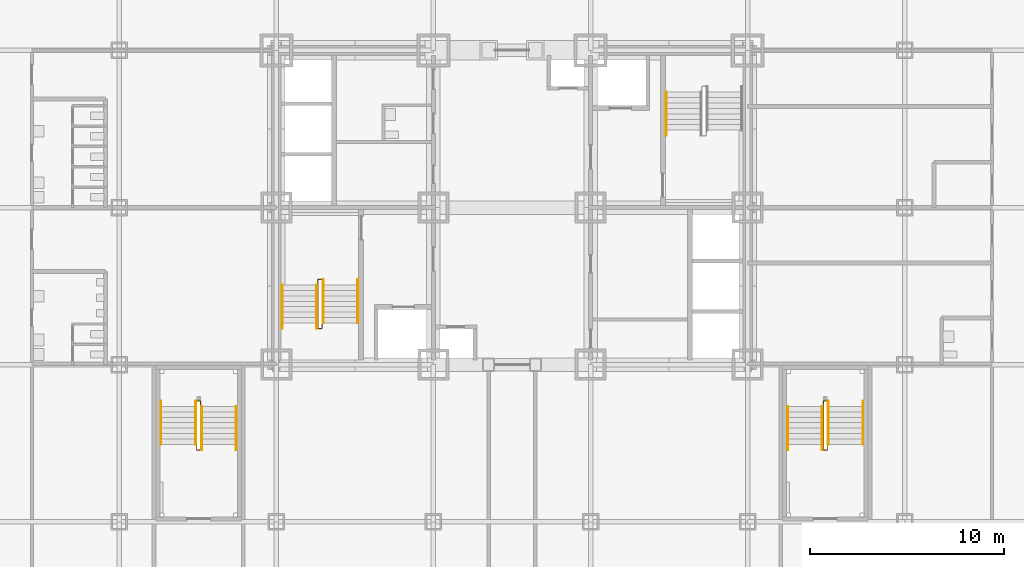
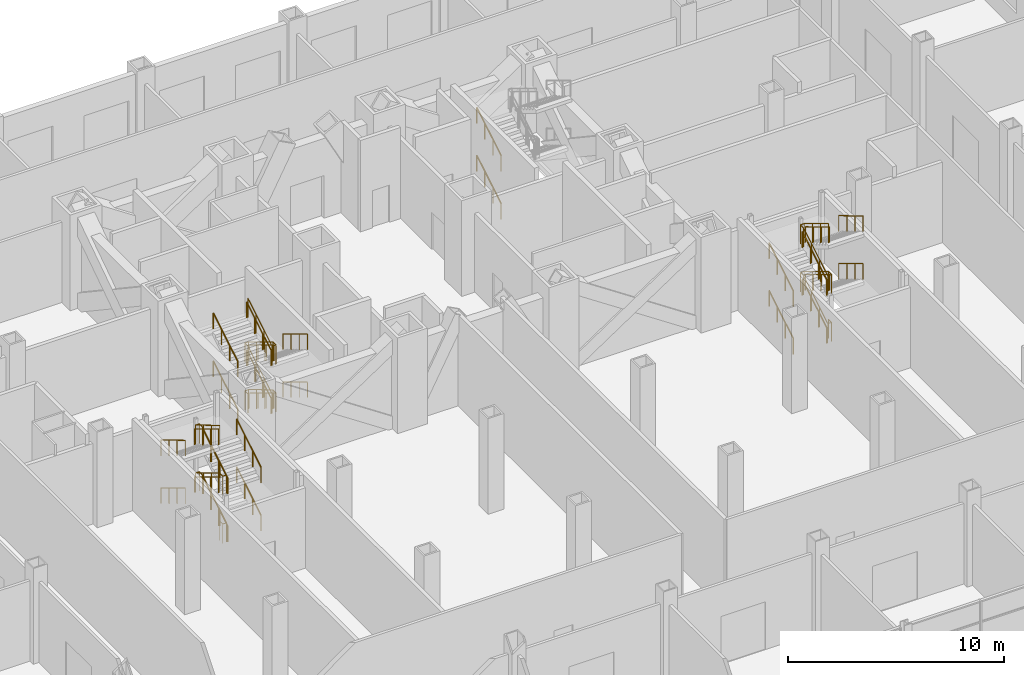
# One storey, part 28 of 30: 29 railings.
"""IFC4 building model written with IfcOpenShell, lengths in metres."""

from ifc_helpers import new_model, si_unit, direction, frame, origin, origin_2d, place, context, subcontext, project, spatial, circle, extrude, material, type_object, element, save


model = new_model("IFC4")

# Units and contexts
model_context = context("Model", 3, precision=1e-05, world=origin(), true_north=direction((0.0, 1.0)))
body_context = subcontext(model_context, "Body", "Model", "MODEL_VIEW")
ifc_project = project(units=[si_unit("LENGTHUNIT", "METRE"), si_unit("AREAUNIT", "SQUARE_METRE"), si_unit("VOLUMEUNIT", "CUBIC_METRE"), si_unit("PLANEANGLEUNIT", "RADIAN"), si_unit("MASSUNIT", "GRAM", prefix="KILO")], contexts=[model_context])

# Site, building, storey
site_placement = place(None, origin())
site = spatial("IfcSite", under=ifc_project, at=site_placement, CompositionType="ELEMENT")
building_placement = place(site_placement, origin())
building = spatial("IfcBuilding", under=site, at=building_placement, Name="Kopane Lantern Tower", CompositionType="ELEMENT")
storey_placement = place(building_placement, frame((0.0, 0.0, 6.0)))
storey = spatial("IfcBuildingStorey", under=building, at=storey_placement, Name="L01", CompositionType="ELEMENT", Elevation=6.0)

# Railings
ifc_material_1 = material(Name="Steel", Category="steel")
railing_type_1 = type_object("IfcRailingType", Name="STAIR GUARD 1100", PredefinedType="GUARDRAIL", material=ifc_material_1)
railing_1_placement = place(storey_placement, frame((18.35009765625, 28.409912109375, 0.0)))
element("IfcRailing", 1, at=railing_1_placement, inside=storey, type_object=railing_type_1, Name="ST1 well guard L01", PredefinedType="GUARDRAIL", context=body_context, shape_type="SweptSolid", body=[
    extrude(circle(Radius=0.02392578125, at=origin_2d()), frame((0.0, 0.0, 1.076171875), z_axis=(0.0, 1.0, 0.0), x_axis=(-1.0, 0.0, 0.0)), (0.0, 0.0, 1.0), 0.280029296875),
    extrude(circle(Radius=0.02392578125, at=origin_2d()), frame((0.0, 0.280029296875, 1.076171875), z_axis=(1.0, 0.0, 0.0), x_axis=(0.0, 1.0, 0.0)), (0.0, 0.0, 1.0), 0.199951171875),
    extrude(circle(Radius=0.02392578125, at=origin_2d()), frame((0.199951171875, 0.280029296875, 1.076171875), z_axis=(0.0, -0.856461642802, 0.516210668632), x_axis=(1.0, 0.0, 0.0)), (0.0, 0.0, 1.0), 2.615478515625),
    extrude(circle(Radius=0.02392578125, at=origin_2d()), frame((0.199951171875, -1.9599609375, 2.42626953125), z_axis=(0.0, -1.0, 0.0), x_axis=(1.0, 0.0, 0.0)), (0.0, 0.0, 1.0), 0.280029296875),
    extrude(circle(Radius=0.02392578125, at=origin_2d()), frame((0.199951171875, -2.239990234375, 2.42626953125), z_axis=(-1.0, 0.0, 0.0), x_axis=(0.0, -1.0, 0.0)), (0.0, 0.0, 1.0), 0.199951171875),
    extrude(circle(Radius=0.02392578125, at=origin_2d()), frame((0.0, -2.239990234375, 2.42626953125), z_axis=(0.0, 0.856502912269, 0.516142190947), x_axis=(-1.0, 0.0, 0.0)), (0.0, 0.0, 1.0), 2.615234375),
    extrude(circle(Radius=0.02392578125, at=origin_2d()), frame((0.0, 0.0, 3.77587890625), z_axis=(0.0, 1.0, 0.0), x_axis=(-1.0, 0.0, 0.0)), (0.0, 0.0, 1.0), 0.280029296875),
    extrude(circle(Radius=0.02392578125, at=origin_2d()), frame((0.0, 0.280029296875, 3.77587890625), z_axis=(1.0, 0.0, 0.0), x_axis=(0.0, 1.0, 0.0)), (0.0, 0.0, 1.0), 0.199951171875),
    extrude(circle(Radius=0.02392578125, at=origin_2d()), frame((0.199951171875, 0.280029296875, 3.77587890625), z_axis=(0.0, -0.856461642802, 0.516210668632), x_axis=(1.0, 0.0, 0.0)), (0.0, 0.0, 1.0), 2.615478515625),
    extrude(circle(Radius=0.02392578125, at=origin_2d()), frame((0.199951171875, -1.9599609375, 5.1259765625), z_axis=(0.0, -1.0, 0.0), x_axis=(1.0, 0.0, 0.0)), (0.0, 0.0, 1.0), 0.280029296875),
    extrude(circle(Radius=0.02392578125, at=origin_2d()), frame((0.199951171875, -2.239990234375, 5.1259765625), z_axis=(-1.0, 0.0, 0.0), x_axis=(0.0, -1.0, 0.0)), (0.0, 0.0, 1.0), 0.199951171875),
    extrude(circle(Radius=0.02392578125, at=origin_2d()), frame((0.0, -2.239990234375, 5.1259765625), z_axis=(0.0, 0.856502912269, 0.516142190947), x_axis=(-1.0, 0.0, 0.0)), (0.0, 0.0, 1.0), 2.615234375),
    extrude(circle(Radius=0.02099609375, at=origin_2d()), origin(), (0.0, 0.0, 1.0), 1.052001953125),
    extrude(circle(Radius=0.02099609375, at=origin_2d()), frame((0.0, 0.280029296875, 0.0)), (0.0, 0.0, 1.0), 1.052001953125),
    extrude(circle(Radius=0.02099609375, at=origin_2d()), frame((0.199951171875, 0.280029296875, 0.0)), (0.0, 0.0, 1.0), 1.052001953125),
    extrude(circle(Radius=0.02099609375, at=origin_2d()), frame((0.199951171875, -0.466552734375, 0.449951171875)), (0.0, 0.0, 1.0), 1.052001953125),
    extrude(circle(Radius=0.02099609375, at=origin_2d()), frame((0.199951171875, -1.21337890625, 0.900146484375)), (0.0, 0.0, 1.0), 1.052001953125),
    extrude(circle(Radius=0.02099609375, at=origin_2d()), frame((0.199951171875, -1.9599609375, 1.35009765625)), (0.0, 0.0, 1.0), 1.052001953125),
    extrude(circle(Radius=0.02099609375, at=origin_2d()), frame((0.199951171875, -2.239990234375, 1.35009765625)), (0.0, 0.0, 1.0), 1.052001953125),
    extrude(circle(Radius=0.02099609375, at=origin_2d()), frame((0.0, -2.239990234375, 1.35009765625)), (0.0, 0.0, 1.0), 1.052001953125),
    extrude(circle(Radius=0.02099609375, at=origin_2d()), frame((0.0, -1.493408203125, 1.800048828125)), (0.0, 0.0, 1.0), 1.052001953125),
    extrude(circle(Radius=0.02099609375, at=origin_2d()), frame((0.0, -0.74658203125, 2.25)), (0.0, 0.0, 1.0), 1.052001953125),
    extrude(circle(Radius=0.02099609375, at=origin_2d()), frame((0.0, 0.0, 2.699951171875)), (0.0, 0.0, 1.0), 1.052001953125),
    extrude(circle(Radius=0.02099609375, at=origin_2d()), frame((0.0, 0.280029296875, 2.699951171875)), (0.0, 0.0, 1.0), 1.052001953125),
    extrude(circle(Radius=0.02099609375, at=origin_2d()), frame((0.199951171875, 0.280029296875, 2.699951171875)), (0.0, 0.0, 1.0), 1.052001953125),
    extrude(circle(Radius=0.02099609375, at=origin_2d()), frame((0.199951171875, -0.466552734375, 3.14990234375)), (0.0, 0.0, 1.0), 1.052001953125),
    extrude(circle(Radius=0.02099609375, at=origin_2d()), frame((0.199951171875, -1.21337890625, 3.60009765625)), (0.0, 0.0, 1.0), 1.052001953125),
    extrude(circle(Radius=0.02099609375, at=origin_2d()), frame((0.199951171875, -1.9599609375, 4.050048828125)), (0.0, 0.0, 1.0), 1.052001953125),
    extrude(circle(Radius=0.02099609375, at=origin_2d()), frame((0.199951171875, -2.239990234375, 4.050048828125)), (0.0, 0.0, 1.0), 1.052001953125),
    extrude(circle(Radius=0.02099609375, at=origin_2d()), frame((0.0, -2.239990234375, 4.050048828125)), (0.0, 0.0, 1.0), 1.052001953125),
    extrude(circle(Radius=0.02099609375, at=origin_2d()), frame((0.0, -1.493408203125, 4.5)), (0.0, 0.0, 1.0), 1.052001953125),
    extrude(circle(Radius=0.02099609375, at=origin_2d()), frame((0.0, -0.74658203125, 4.949951171875)), (0.0, 0.0, 1.0), 1.052001953125),
    extrude(circle(Radius=0.02099609375, at=origin_2d()), frame((0.0, 0.0, 5.39990234375)), (0.0, 0.0, 1.0), 1.052001953125),
])
railing_2_placement = place(storey_placement, frame((12.10009765625, 20.18994140625, 0.0)))
element("IfcRailing", 2, at=railing_2_placement, inside=storey, type_object=railing_type_1, Name="ST3 well guard L01", PredefinedType="GUARDRAIL", context=body_context, shape_type="SweptSolid", body=[
    extrude(circle(Radius=0.02392578125, at=origin_2d()), frame((0.0, 0.0, 1.076171875), z_axis=(0.0, -1.0, 0.0), x_axis=(1.0, 0.0, 0.0)), (0.0, 0.0, 1.0), 0.280029296875),
    extrude(circle(Radius=0.02392578125, at=origin_2d()), frame((0.0, -0.280029296875, 1.076171875), z_axis=(1.0, 0.0, 0.0), x_axis=(0.0, 1.0, 0.0)), (0.0, 0.0, 1.0), 0.199951171875),
    extrude(circle(Radius=0.02392578125, at=origin_2d()), frame((0.199951171875, -0.280029296875, 1.076171875), z_axis=(0.0, 0.856461642802, 0.516210668632), x_axis=(-1.0, 0.0, 0.0)), (0.0, 0.0, 1.0), 2.615478515625),
    extrude(circle(Radius=0.02392578125, at=origin_2d()), frame((0.199951171875, 1.9599609375, 2.42626953125), z_axis=(0.0, 1.0, 0.0), x_axis=(-1.0, 0.0, 0.0)), (0.0, 0.0, 1.0), 0.280029296875),
    extrude(circle(Radius=0.02392578125, at=origin_2d()), frame((0.199951171875, 2.239990234375, 2.42626953125), z_axis=(-1.0, 0.0, 0.0), x_axis=(0.0, -1.0, 0.0)), (0.0, 0.0, 1.0), 0.199951171875),
    extrude(circle(Radius=0.02392578125, at=origin_2d()), frame((0.0, 2.239990234375, 2.42626953125), z_axis=(0.0, -0.856502912269, 0.516142190947), x_axis=(1.0, 0.0, 0.0)), (0.0, 0.0, 1.0), 2.615234375),
    extrude(circle(Radius=0.02392578125, at=origin_2d()), frame((0.0, 0.0, 3.77587890625), z_axis=(0.0, -1.0, 0.0), x_axis=(1.0, 0.0, 0.0)), (0.0, 0.0, 1.0), 0.280029296875),
    extrude(circle(Radius=0.02392578125, at=origin_2d()), frame((0.0, -0.280029296875, 3.77587890625), z_axis=(1.0, 0.0, 0.0), x_axis=(0.0, 1.0, 0.0)), (0.0, 0.0, 1.0), 0.199951171875),
    extrude(circle(Radius=0.02392578125, at=origin_2d()), frame((0.199951171875, -0.280029296875, 3.77587890625), z_axis=(0.0, 0.856461642802, 0.516210668632), x_axis=(-1.0, 0.0, 0.0)), (0.0, 0.0, 1.0), 2.615478515625),
    extrude(circle(Radius=0.02392578125, at=origin_2d()), frame((0.199951171875, 1.9599609375, 5.1259765625), z_axis=(0.0, 1.0, 0.0), x_axis=(-1.0, 0.0, 0.0)), (0.0, 0.0, 1.0), 0.280029296875),
    extrude(circle(Radius=0.02392578125, at=origin_2d()), frame((0.199951171875, 2.239990234375, 5.1259765625), z_axis=(-1.0, 0.0, 0.0), x_axis=(0.0, -1.0, 0.0)), (0.0, 0.0, 1.0), 0.199951171875),
    extrude(circle(Radius=0.02392578125, at=origin_2d()), frame((0.0, 2.239990234375, 5.1259765625), z_axis=(0.0, -0.856502912269, 0.516142190947), x_axis=(1.0, 0.0, 0.0)), (0.0, 0.0, 1.0), 2.615234375),
    extrude(circle(Radius=0.02099609375, at=origin_2d()), origin(), (0.0, 0.0, 1.0), 1.052001953125),
    extrude(circle(Radius=0.02099609375, at=origin_2d()), frame((0.0, -0.280029296875, 0.0)), (0.0, 0.0, 1.0), 1.052001953125),
    extrude(circle(Radius=0.02099609375, at=origin_2d()), frame((0.199951171875, -0.280029296875, 0.0)), (0.0, 0.0, 1.0), 1.052001953125),
    extrude(circle(Radius=0.02099609375, at=origin_2d()), frame((0.199951171875, 0.466552734375, 0.449951171875)), (0.0, 0.0, 1.0), 1.052001953125),
    extrude(circle(Radius=0.02099609375, at=origin_2d()), frame((0.199951171875, 1.21337890625, 0.900146484375)), (0.0, 0.0, 1.0), 1.052001953125),
    extrude(circle(Radius=0.02099609375, at=origin_2d()), frame((0.199951171875, 1.9599609375, 1.35009765625)), (0.0, 0.0, 1.0), 1.052001953125),
    extrude(circle(Radius=0.02099609375, at=origin_2d()), frame((0.199951171875, 2.239990234375, 1.35009765625)), (0.0, 0.0, 1.0), 1.052001953125),
    extrude(circle(Radius=0.02099609375, at=origin_2d()), frame((0.0, 2.239990234375, 1.35009765625)), (0.0, 0.0, 1.0), 1.052001953125),
    extrude(circle(Radius=0.02099609375, at=origin_2d()), frame((0.0, 1.493408203125, 1.800048828125)), (0.0, 0.0, 1.0), 1.052001953125),
    extrude(circle(Radius=0.02099609375, at=origin_2d()), frame((0.0, 0.74658203125, 2.25)), (0.0, 0.0, 1.0), 1.052001953125),
    extrude(circle(Radius=0.02099609375, at=origin_2d()), frame((0.0, 0.0, 2.699951171875)), (0.0, 0.0, 1.0), 1.052001953125),
    extrude(circle(Radius=0.02099609375, at=origin_2d()), frame((0.0, -0.280029296875, 2.699951171875)), (0.0, 0.0, 1.0), 1.052001953125),
    extrude(circle(Radius=0.02099609375, at=origin_2d()), frame((0.199951171875, -0.280029296875, 2.699951171875)), (0.0, 0.0, 1.0), 1.052001953125),
    extrude(circle(Radius=0.02099609375, at=origin_2d()), frame((0.199951171875, 0.466552734375, 3.14990234375)), (0.0, 0.0, 1.0), 1.052001953125),
    extrude(circle(Radius=0.02099609375, at=origin_2d()), frame((0.199951171875, 1.21337890625, 3.60009765625)), (0.0, 0.0, 1.0), 1.052001953125),
    extrude(circle(Radius=0.02099609375, at=origin_2d()), frame((0.199951171875, 1.9599609375, 4.050048828125)), (0.0, 0.0, 1.0), 1.052001953125),
    extrude(circle(Radius=0.02099609375, at=origin_2d()), frame((0.199951171875, 2.239990234375, 4.050048828125)), (0.0, 0.0, 1.0), 1.052001953125),
    extrude(circle(Radius=0.02099609375, at=origin_2d()), frame((0.0, 2.239990234375, 4.050048828125)), (0.0, 0.0, 1.0), 1.052001953125),
    extrude(circle(Radius=0.02099609375, at=origin_2d()), frame((0.0, 1.493408203125, 4.5)), (0.0, 0.0, 1.0), 1.052001953125),
    extrude(circle(Radius=0.02099609375, at=origin_2d()), frame((0.0, 0.74658203125, 4.949951171875)), (0.0, 0.0, 1.0), 1.052001953125),
    extrude(circle(Radius=0.02099609375, at=origin_2d()), frame((0.0, 0.0, 5.39990234375)), (0.0, 0.0, 1.0), 1.052001953125),
])
railing_3_placement = place(storey_placement, frame((44.60009765625, 20.18994140625, 0.0)))
element("IfcRailing", 3, at=railing_3_placement, inside=storey, type_object=railing_type_1, Name="ST4 well guard L01", PredefinedType="GUARDRAIL", context=body_context, shape_type="SweptSolid", body=[
    extrude(circle(Radius=0.02392578125, at=origin_2d()), frame((0.0, 0.0, 1.076171875), z_axis=(0.0, -1.0, 0.0), x_axis=(1.0, 0.0, 0.0)), (0.0, 0.0, 1.0), 0.280029296875),
    extrude(circle(Radius=0.02392578125, at=origin_2d()), frame((0.0, -0.280029296875, 1.076171875), z_axis=(-1.0, 0.0, 0.0), x_axis=(0.0, -1.0, 0.0)), (0.0, 0.0, 1.0), 0.2001953125),
    extrude(circle(Radius=0.02392578125, at=origin_2d()), frame((-0.2001953125, -0.280029296875, 1.076171875), z_axis=(0.0, 0.856461642802, 0.516210668632), x_axis=(-1.0, 0.0, 0.0)), (0.0, 0.0, 1.0), 2.615478515625),
    extrude(circle(Radius=0.02392578125, at=origin_2d()), frame((-0.2001953125, 1.9599609375, 2.42626953125), z_axis=(0.0, 1.0, 0.0), x_axis=(-1.0, 0.0, 0.0)), (0.0, 0.0, 1.0), 0.280029296875),
    extrude(circle(Radius=0.02392578125, at=origin_2d()), frame((-0.2001953125, 2.239990234375, 2.42626953125), z_axis=(1.0, 0.0, 0.0), x_axis=(0.0, 1.0, 0.0)), (0.0, 0.0, 1.0), 0.2001953125),
    extrude(circle(Radius=0.02392578125, at=origin_2d()), frame((0.0, 2.239990234375, 2.42626953125), z_axis=(0.0, -0.856502912269, 0.516142190947), x_axis=(1.0, 0.0, 0.0)), (0.0, 0.0, 1.0), 2.615234375),
    extrude(circle(Radius=0.02392578125, at=origin_2d()), frame((0.0, 0.0, 3.77587890625), z_axis=(0.0, -1.0, 0.0), x_axis=(1.0, 0.0, 0.0)), (0.0, 0.0, 1.0), 0.280029296875),
    extrude(circle(Radius=0.02392578125, at=origin_2d()), frame((0.0, -0.280029296875, 3.77587890625), z_axis=(-1.0, 0.0, 0.0), x_axis=(0.0, -1.0, 0.0)), (0.0, 0.0, 1.0), 0.2001953125),
    extrude(circle(Radius=0.02392578125, at=origin_2d()), frame((-0.2001953125, -0.280029296875, 3.77587890625), z_axis=(0.0, 0.856461642802, 0.516210668632), x_axis=(-1.0, 0.0, 0.0)), (0.0, 0.0, 1.0), 2.615478515625),
    extrude(circle(Radius=0.02392578125, at=origin_2d()), frame((-0.2001953125, 1.9599609375, 5.1259765625), z_axis=(0.0, 1.0, 0.0), x_axis=(-1.0, 0.0, 0.0)), (0.0, 0.0, 1.0), 0.280029296875),
    extrude(circle(Radius=0.02392578125, at=origin_2d()), frame((-0.2001953125, 2.239990234375, 5.1259765625), z_axis=(1.0, 0.0, 0.0), x_axis=(0.0, 1.0, 0.0)), (0.0, 0.0, 1.0), 0.2001953125),
    extrude(circle(Radius=0.02392578125, at=origin_2d()), frame((0.0, 2.239990234375, 5.1259765625), z_axis=(0.0, -0.856502912269, 0.516142190947), x_axis=(1.0, 0.0, 0.0)), (0.0, 0.0, 1.0), 2.615234375),
    extrude(circle(Radius=0.02099609375, at=origin_2d()), origin(), (0.0, 0.0, 1.0), 1.052001953125),
    extrude(circle(Radius=0.02099609375, at=origin_2d()), frame((0.0, -0.280029296875, 0.0)), (0.0, 0.0, 1.0), 1.052001953125),
    extrude(circle(Radius=0.02099609375, at=origin_2d()), frame((-0.2001953125, -0.280029296875, 0.0)), (0.0, 0.0, 1.0), 1.052001953125),
    extrude(circle(Radius=0.02099609375, at=origin_2d()), frame((-0.2001953125, 0.466552734375, 0.449951171875)), (0.0, 0.0, 1.0), 1.052001953125),
    extrude(circle(Radius=0.02099609375, at=origin_2d()), frame((-0.2001953125, 1.21337890625, 0.900146484375)), (0.0, 0.0, 1.0), 1.052001953125),
    extrude(circle(Radius=0.02099609375, at=origin_2d()), frame((-0.2001953125, 1.9599609375, 1.35009765625)), (0.0, 0.0, 1.0), 1.052001953125),
    extrude(circle(Radius=0.02099609375, at=origin_2d()), frame((-0.2001953125, 2.239990234375, 1.35009765625)), (0.0, 0.0, 1.0), 1.052001953125),
    extrude(circle(Radius=0.02099609375, at=origin_2d()), frame((0.0, 2.239990234375, 1.35009765625)), (0.0, 0.0, 1.0), 1.052001953125),
    extrude(circle(Radius=0.02099609375, at=origin_2d()), frame((0.0, 1.493408203125, 1.800048828125)), (0.0, 0.0, 1.0), 1.052001953125),
    extrude(circle(Radius=0.02099609375, at=origin_2d()), frame((0.0, 0.74658203125, 2.25)), (0.0, 0.0, 1.0), 1.052001953125),
    extrude(circle(Radius=0.02099609375, at=origin_2d()), frame((0.0, 0.0, 2.699951171875)), (0.0, 0.0, 1.0), 1.052001953125),
    extrude(circle(Radius=0.02099609375, at=origin_2d()), frame((0.0, -0.280029296875, 2.699951171875)), (0.0, 0.0, 1.0), 1.052001953125),
    extrude(circle(Radius=0.02099609375, at=origin_2d()), frame((-0.2001953125, -0.280029296875, 2.699951171875)), (0.0, 0.0, 1.0), 1.052001953125),
    extrude(circle(Radius=0.02099609375, at=origin_2d()), frame((-0.2001953125, 0.466552734375, 3.14990234375)), (0.0, 0.0, 1.0), 1.052001953125),
    extrude(circle(Radius=0.02099609375, at=origin_2d()), frame((-0.2001953125, 1.21337890625, 3.60009765625)), (0.0, 0.0, 1.0), 1.052001953125),
    extrude(circle(Radius=0.02099609375, at=origin_2d()), frame((-0.2001953125, 1.9599609375, 4.050048828125)), (0.0, 0.0, 1.0), 1.052001953125),
    extrude(circle(Radius=0.02099609375, at=origin_2d()), frame((-0.2001953125, 2.239990234375, 4.050048828125)), (0.0, 0.0, 1.0), 1.052001953125),
    extrude(circle(Radius=0.02099609375, at=origin_2d()), frame((0.0, 2.239990234375, 4.050048828125)), (0.0, 0.0, 1.0), 1.052001953125),
    extrude(circle(Radius=0.02099609375, at=origin_2d()), frame((0.0, 1.493408203125, 4.5)), (0.0, 0.0, 1.0), 1.052001953125),
    extrude(circle(Radius=0.02099609375, at=origin_2d()), frame((0.0, 0.74658203125, 4.949951171875)), (0.0, 0.0, 1.0), 1.052001953125),
    extrude(circle(Radius=0.02099609375, at=origin_2d()), frame((0.0, 0.0, 5.39990234375)), (0.0, 0.0, 1.0), 1.052001953125),
])
ifc_material_2 = material(Name="Steel", Category="steel")
railing_type_2 = type_object("IfcRailingType", Name="STAIR HANDRAIL 900", PredefinedType="HANDRAIL", material=ifc_material_2)
for number, where, name in (
    (4, (20.389892578125, 28.68994140625, 0.0), "ST1 handrail L01 flight 1"),
    (5, (18.610107421875, 28.68994140625, 0.0), "ST1 handrail L01 flight 1"),
):
    element("IfcRailing", number, at=place(storey_placement, frame(where)), inside=storey, type_object=railing_type_2, Name=name, PredefinedType="HANDRAIL", context=body_context, shape_type="SweptSolid", body=[
        extrude(circle(Radius=0.02392578125, at=origin_2d()), frame((0.0, 0.0, 0.8759765625), z_axis=(0.0, -0.856461642802, 0.516210668632), x_axis=(1.0, 0.0, 0.0)), (0.0, 0.0, 1.0), 2.615478515625),
        extrude(circle(Radius=0.02099609375, at=origin_2d()), origin(), (0.0, 0.0, 1.0), 0.851806640625),
        extrude(circle(Radius=0.02099609375, at=origin_2d()), frame((0.0, -0.74658203125, 0.449951171875)), (0.0, 0.0, 1.0), 0.851806640625),
        extrude(circle(Radius=0.02099609375, at=origin_2d()), frame((0.0, -1.493408203125, 0.900146484375)), (0.0, 0.0, 1.0), 0.851806640625),
        extrude(circle(Radius=0.02099609375, at=origin_2d()), frame((0.0, -2.239990234375, 1.35009765625)), (0.0, 0.0, 1.0), 0.851806640625),
    ])
for number, where, name in (
    (6, (16.510009765625, 26.169921875, 1.35009765625), "ST1 handrail L01 flight 2"),
    (7, (18.2900390625, 26.169921875, 1.35009765625), "ST1 handrail L01 flight 2"),
):
    element("IfcRailing", number, at=place(storey_placement, frame(where)), inside=storey, type_object=railing_type_2, Name=name, PredefinedType="HANDRAIL", context=body_context, shape_type="SweptSolid", body=[
        extrude(circle(Radius=0.02392578125, at=origin_2d()), frame((0.0, 0.0, 0.8759765625), z_axis=(0.0, 0.856502912269, 0.516142190947), x_axis=(-1.0, 0.0, 0.0)), (0.0, 0.0, 1.0), 2.615234375),
        extrude(circle(Radius=0.02099609375, at=origin_2d()), origin(), (0.0, 0.0, 1.0), 0.851806640625),
        extrude(circle(Radius=0.02099609375, at=origin_2d()), frame((0.0, 0.74658203125, 0.449951171875)), (0.0, 0.0, 1.0), 0.851806640625),
        extrude(circle(Radius=0.02099609375, at=origin_2d()), frame((0.0, 1.493408203125, 0.89990234375)), (0.0, 0.0, 1.0), 0.851806640625),
        extrude(circle(Radius=0.02099609375, at=origin_2d()), frame((0.0, 2.239990234375, 1.349853515625)), (0.0, 0.0, 1.0), 0.851806640625),
    ])
for number, where, name in (
    (8, (20.389892578125, 28.68994140625, 2.699951171875), "ST1 handrail L01 flight 3"),
    (9, (18.610107421875, 28.68994140625, 2.699951171875), "ST1 handrail L01 flight 3"),
):
    element("IfcRailing", number, at=place(storey_placement, frame(where)), inside=storey, type_object=railing_type_2, Name=name, PredefinedType="HANDRAIL", context=body_context, shape_type="SweptSolid", body=[
        extrude(circle(Radius=0.02392578125, at=origin_2d()), frame((0.0, 0.0, 0.8759765625), z_axis=(0.0, -0.856461642802, 0.516210668632), x_axis=(1.0, 0.0, 0.0)), (0.0, 0.0, 1.0), 2.615478515625),
        extrude(circle(Radius=0.02099609375, at=origin_2d()), origin(), (0.0, 0.0, 1.0), 0.851806640625),
        extrude(circle(Radius=0.02099609375, at=origin_2d()), frame((0.0, -0.74658203125, 0.449951171875)), (0.0, 0.0, 1.0), 0.851806640625),
        extrude(circle(Radius=0.02099609375, at=origin_2d()), frame((0.0, -1.493408203125, 0.900146484375)), (0.0, 0.0, 1.0), 0.851806640625),
        extrude(circle(Radius=0.02099609375, at=origin_2d()), frame((0.0, -2.239990234375, 1.35009765625)), (0.0, 0.0, 1.0), 0.851806640625),
    ])
for number, where, name in (
    (10, (16.510009765625, 26.169921875, 4.050048828125), "ST1 handrail L01 flight 4"),
    (11, (18.2900390625, 26.169921875, 4.050048828125), "ST1 handrail L01 flight 4"),
):
    element("IfcRailing", number, at=place(storey_placement, frame(where)), inside=storey, type_object=railing_type_2, Name=name, PredefinedType="HANDRAIL", context=body_context, shape_type="SweptSolid", body=[
        extrude(circle(Radius=0.02392578125, at=origin_2d()), frame((0.0, 0.0, 0.8759765625), z_axis=(0.0, 0.856502912269, 0.516142190947), x_axis=(-1.0, 0.0, 0.0)), (0.0, 0.0, 1.0), 2.615234375),
        extrude(circle(Radius=0.02099609375, at=origin_2d()), origin(), (0.0, 0.0, 1.0), 0.851806640625),
        extrude(circle(Radius=0.02099609375, at=origin_2d()), frame((0.0, 0.74658203125, 0.449951171875)), (0.0, 0.0, 1.0), 0.851806640625),
        extrude(circle(Radius=0.02099609375, at=origin_2d()), frame((0.0, 1.493408203125, 0.89990234375)), (0.0, 0.0, 1.0), 0.851806640625),
        extrude(circle(Radius=0.02099609375, at=origin_2d()), frame((0.0, 2.239990234375, 1.349853515625)), (0.0, 0.0, 1.0), 0.851806640625),
    ])
for number, where, name in (
    (12, (36.31005859375, 36.110107421875, 0.0), "ST2 handrail L01 flight 1"),
    (13, (36.31005859375, 36.110107421875, 2.699951171875), "ST2 handrail L01 flight 3"),
    (14, (14.139892578125, 19.909912109375, 0.0), "ST3 handrail L01 flight 1"),
    (15, (12.360107421875, 19.909912109375, 0.0), "ST3 handrail L01 flight 1"),
):
    element("IfcRailing", number, at=place(storey_placement, frame(where)), inside=storey, type_object=railing_type_2, Name=name, PredefinedType="HANDRAIL", context=body_context, shape_type="SweptSolid", body=[
        extrude(circle(Radius=0.02392578125, at=origin_2d()), frame((0.0, 0.0, 0.8759765625), z_axis=(0.0, 0.856461642802, 0.516210668632), x_axis=(-1.0, 0.0, 0.0)), (0.0, 0.0, 1.0), 2.615478515625),
        extrude(circle(Radius=0.02099609375, at=origin_2d()), origin(), (0.0, 0.0, 1.0), 0.851806640625),
        extrude(circle(Radius=0.02099609375, at=origin_2d()), frame((0.0, 0.74658203125, 0.449951171875)), (0.0, 0.0, 1.0), 0.851806640625),
        extrude(circle(Radius=0.02099609375, at=origin_2d()), frame((0.0, 1.493408203125, 0.900146484375)), (0.0, 0.0, 1.0), 0.851806640625),
        extrude(circle(Radius=0.02099609375, at=origin_2d()), frame((0.0, 2.239990234375, 1.35009765625)), (0.0, 0.0, 1.0), 0.851806640625),
    ])
for number, where, name in (
    (16, (10.260009765625, 22.429931640625, 1.35009765625), "ST3 handrail L01 flight 2"),
    (17, (12.0400390625, 22.429931640625, 1.35009765625), "ST3 handrail L01 flight 2"),
):
    element("IfcRailing", number, at=place(storey_placement, frame(where)), inside=storey, type_object=railing_type_2, Name=name, PredefinedType="HANDRAIL", context=body_context, shape_type="SweptSolid", body=[
        extrude(circle(Radius=0.02392578125, at=origin_2d()), frame((0.0, 0.0, 0.8759765625), z_axis=(0.0, -0.856502912269, 0.516142190947), x_axis=(1.0, 0.0, 0.0)), (0.0, 0.0, 1.0), 2.615234375),
        extrude(circle(Radius=0.02099609375, at=origin_2d()), origin(), (0.0, 0.0, 1.0), 0.851806640625),
        extrude(circle(Radius=0.02099609375, at=origin_2d()), frame((0.0, -0.74658203125, 0.449951171875)), (0.0, 0.0, 1.0), 0.851806640625),
        extrude(circle(Radius=0.02099609375, at=origin_2d()), frame((0.0, -1.493408203125, 0.89990234375)), (0.0, 0.0, 1.0), 0.851806640625),
        extrude(circle(Radius=0.02099609375, at=origin_2d()), frame((0.0, -2.239990234375, 1.349853515625)), (0.0, 0.0, 1.0), 0.851806640625),
    ])
for number, where, name in (
    (18, (14.139892578125, 19.909912109375, 2.699951171875), "ST3 handrail L01 flight 3"),
    (19, (12.360107421875, 19.909912109375, 2.699951171875), "ST3 handrail L01 flight 3"),
):
    element("IfcRailing", number, at=place(storey_placement, frame(where)), inside=storey, type_object=railing_type_2, Name=name, PredefinedType="HANDRAIL", context=body_context, shape_type="SweptSolid", body=[
        extrude(circle(Radius=0.02392578125, at=origin_2d()), frame((0.0, 0.0, 0.8759765625), z_axis=(0.0, 0.856461642802, 0.516210668632), x_axis=(-1.0, 0.0, 0.0)), (0.0, 0.0, 1.0), 2.615478515625),
        extrude(circle(Radius=0.02099609375, at=origin_2d()), origin(), (0.0, 0.0, 1.0), 0.851806640625),
        extrude(circle(Radius=0.02099609375, at=origin_2d()), frame((0.0, 0.74658203125, 0.449951171875)), (0.0, 0.0, 1.0), 0.851806640625),
        extrude(circle(Radius=0.02099609375, at=origin_2d()), frame((0.0, 1.493408203125, 0.900146484375)), (0.0, 0.0, 1.0), 0.851806640625),
        extrude(circle(Radius=0.02099609375, at=origin_2d()), frame((0.0, 2.239990234375, 1.35009765625)), (0.0, 0.0, 1.0), 0.851806640625),
    ])
for number, where, name in (
    (20, (10.260009765625, 22.429931640625, 4.050048828125), "ST3 handrail L01 flight 4"),
    (21, (12.0400390625, 22.429931640625, 4.050048828125), "ST3 handrail L01 flight 4"),
):
    element("IfcRailing", number, at=place(storey_placement, frame(where)), inside=storey, type_object=railing_type_2, Name=name, PredefinedType="HANDRAIL", context=body_context, shape_type="SweptSolid", body=[
        extrude(circle(Radius=0.02392578125, at=origin_2d()), frame((0.0, 0.0, 0.8759765625), z_axis=(0.0, -0.856502912269, 0.516142190947), x_axis=(1.0, 0.0, 0.0)), (0.0, 0.0, 1.0), 2.615234375),
        extrude(circle(Radius=0.02099609375, at=origin_2d()), origin(), (0.0, 0.0, 1.0), 0.851806640625),
        extrude(circle(Radius=0.02099609375, at=origin_2d()), frame((0.0, -0.74658203125, 0.449951171875)), (0.0, 0.0, 1.0), 0.851806640625),
        extrude(circle(Radius=0.02099609375, at=origin_2d()), frame((0.0, -1.493408203125, 0.89990234375)), (0.0, 0.0, 1.0), 0.851806640625),
        extrude(circle(Radius=0.02099609375, at=origin_2d()), frame((0.0, -2.239990234375, 1.349853515625)), (0.0, 0.0, 1.0), 0.851806640625),
    ])
for number, where, name in (
    (22, (42.56005859375, 19.909912109375, 0.0), "ST4 handrail L01 flight 1"),
    (23, (44.340087890625, 19.909912109375, 0.0), "ST4 handrail L01 flight 1"),
):
    element("IfcRailing", number, at=place(storey_placement, frame(where)), inside=storey, type_object=railing_type_2, Name=name, PredefinedType="HANDRAIL", context=body_context, shape_type="SweptSolid", body=[
        extrude(circle(Radius=0.02392578125, at=origin_2d()), frame((0.0, 0.0, 0.8759765625), z_axis=(0.0, 0.856461642802, 0.516210668632), x_axis=(-1.0, 0.0, 0.0)), (0.0, 0.0, 1.0), 2.615478515625),
        extrude(circle(Radius=0.02099609375, at=origin_2d()), origin(), (0.0, 0.0, 1.0), 0.851806640625),
        extrude(circle(Radius=0.02099609375, at=origin_2d()), frame((0.0, 0.74658203125, 0.449951171875)), (0.0, 0.0, 1.0), 0.851806640625),
        extrude(circle(Radius=0.02099609375, at=origin_2d()), frame((0.0, 1.493408203125, 0.900146484375)), (0.0, 0.0, 1.0), 0.851806640625),
        extrude(circle(Radius=0.02099609375, at=origin_2d()), frame((0.0, 2.239990234375, 1.35009765625)), (0.0, 0.0, 1.0), 0.851806640625),
    ])
for number, where, name in (
    (24, (46.43994140625, 22.429931640625, 1.35009765625), "ST4 handrail L01 flight 2"),
    (25, (44.659912109375, 22.429931640625, 1.35009765625), "ST4 handrail L01 flight 2"),
):
    element("IfcRailing", number, at=place(storey_placement, frame(where)), inside=storey, type_object=railing_type_2, Name=name, PredefinedType="HANDRAIL", context=body_context, shape_type="SweptSolid", body=[
        extrude(circle(Radius=0.02392578125, at=origin_2d()), frame((0.0, 0.0, 0.8759765625), z_axis=(0.0, -0.856502912269, 0.516142190947), x_axis=(1.0, 0.0, 0.0)), (0.0, 0.0, 1.0), 2.615234375),
        extrude(circle(Radius=0.02099609375, at=origin_2d()), origin(), (0.0, 0.0, 1.0), 0.851806640625),
        extrude(circle(Radius=0.02099609375, at=origin_2d()), frame((0.0, -0.74658203125, 0.449951171875)), (0.0, 0.0, 1.0), 0.851806640625),
        extrude(circle(Radius=0.02099609375, at=origin_2d()), frame((0.0, -1.493408203125, 0.89990234375)), (0.0, 0.0, 1.0), 0.851806640625),
        extrude(circle(Radius=0.02099609375, at=origin_2d()), frame((0.0, -2.239990234375, 1.349853515625)), (0.0, 0.0, 1.0), 0.851806640625),
    ])
for number, where, name in (
    (26, (42.56005859375, 19.909912109375, 2.699951171875), "ST4 handrail L01 flight 3"),
    (27, (44.340087890625, 19.909912109375, 2.699951171875), "ST4 handrail L01 flight 3"),
):
    element("IfcRailing", number, at=place(storey_placement, frame(where)), inside=storey, type_object=railing_type_2, Name=name, PredefinedType="HANDRAIL", context=body_context, shape_type="SweptSolid", body=[
        extrude(circle(Radius=0.02392578125, at=origin_2d()), frame((0.0, 0.0, 0.8759765625), z_axis=(0.0, 0.856461642802, 0.516210668632), x_axis=(-1.0, 0.0, 0.0)), (0.0, 0.0, 1.0), 2.615478515625),
        extrude(circle(Radius=0.02099609375, at=origin_2d()), origin(), (0.0, 0.0, 1.0), 0.851806640625),
        extrude(circle(Radius=0.02099609375, at=origin_2d()), frame((0.0, 0.74658203125, 0.449951171875)), (0.0, 0.0, 1.0), 0.851806640625),
        extrude(circle(Radius=0.02099609375, at=origin_2d()), frame((0.0, 1.493408203125, 0.900146484375)), (0.0, 0.0, 1.0), 0.851806640625),
        extrude(circle(Radius=0.02099609375, at=origin_2d()), frame((0.0, 2.239990234375, 1.35009765625)), (0.0, 0.0, 1.0), 0.851806640625),
    ])
for number, where, name in (
    (28, (46.43994140625, 22.429931640625, 4.050048828125), "ST4 handrail L01 flight 4"),
    (29, (44.659912109375, 22.429931640625, 4.050048828125), "ST4 handrail L01 flight 4"),
):
    element("IfcRailing", number, at=place(storey_placement, frame(where)), inside=storey, type_object=railing_type_2, Name=name, PredefinedType="HANDRAIL", context=body_context, shape_type="SweptSolid", body=[
        extrude(circle(Radius=0.02392578125, at=origin_2d()), frame((0.0, 0.0, 0.8759765625), z_axis=(0.0, -0.856502912269, 0.516142190947), x_axis=(1.0, 0.0, 0.0)), (0.0, 0.0, 1.0), 2.615234375),
        extrude(circle(Radius=0.02099609375, at=origin_2d()), origin(), (0.0, 0.0, 1.0), 0.851806640625),
        extrude(circle(Radius=0.02099609375, at=origin_2d()), frame((0.0, -0.74658203125, 0.449951171875)), (0.0, 0.0, 1.0), 0.851806640625),
        extrude(circle(Radius=0.02099609375, at=origin_2d()), frame((0.0, -1.493408203125, 0.89990234375)), (0.0, 0.0, 1.0), 0.851806640625),
        extrude(circle(Radius=0.02099609375, at=origin_2d()), frame((0.0, -2.239990234375, 1.349853515625)), (0.0, 0.0, 1.0), 0.851806640625),
    ])

save(model, "model.ifc")
